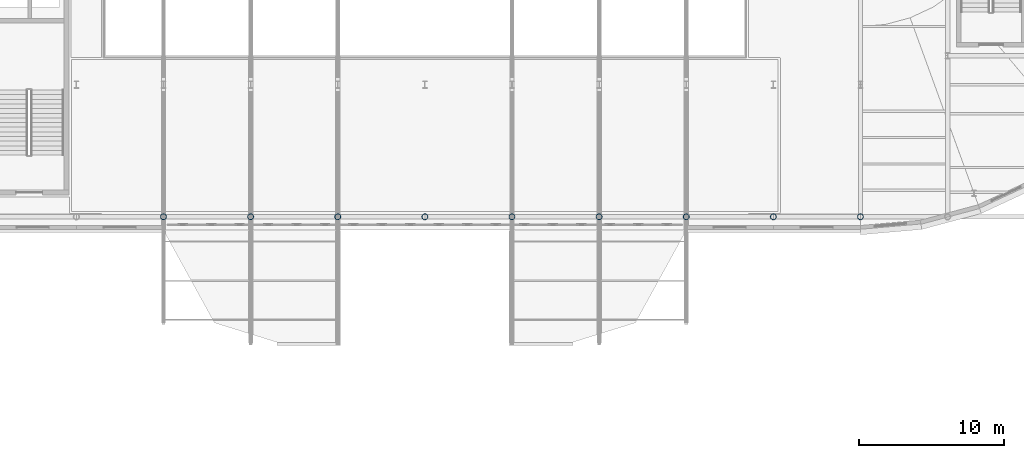
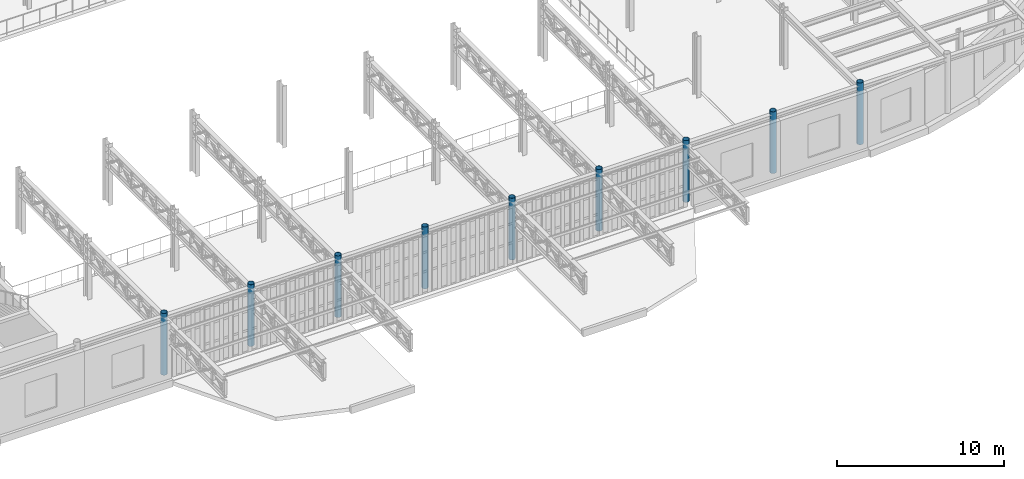
# One storey, part 5 of 91: 9 columns.
"""IFC4 building model written with IfcOpenShell, lengths in metres."""

from ifc_helpers import new_model, si_unit, direction, frame, origin, origin_2d, place, context, subcontext, project, spatial, hollow_circle, extrude, material, material_profile, profile_set, type_object, element, save


model = new_model("IFC4")

# Units and contexts
model_context = context("Model", 3, precision=1e-05, world=origin(), true_north=direction((0.0, 1.0)))
body_context = subcontext(model_context, "Body", "Model", "MODEL_VIEW")
ifc_project = project(units=[si_unit("LENGTHUNIT", "METRE"), si_unit("AREAUNIT", "SQUARE_METRE"), si_unit("VOLUMEUNIT", "CUBIC_METRE"), si_unit("PLANEANGLEUNIT", "RADIAN"), si_unit("MASSUNIT", "GRAM", prefix="KILO")], contexts=[model_context])

# Site, building, storey
site_placement = place(None, origin())
site = spatial("IfcSite", under=ifc_project, at=site_placement, CompositionType="ELEMENT")
building_placement = place(site_placement, origin())
building = spatial("IfcBuilding", under=site, at=building_placement, Name="Kolvaren Corner Interchange", CompositionType="ELEMENT")
storey_placement = place(building_placement, frame((0.0, 0.0, 6.0)))
storey = spatial("IfcBuildingStorey", under=building, at=storey_placement, Name="L02", CompositionType="ELEMENT", Elevation=6.0)

# Columns
ifc_material = material(Name="Steel S355", Category="steel")
ifc_material_profile = material_profile(ifc_material, hollow_circle(Radius=0.203125, WallThickness=0.01611328125, at=origin_2d()), Name="CHS 406.4x16.0")
ifc_profile_set = profile_set([ifc_material_profile], Name="Steel S355")
column_type = type_object("IfcColumnType", Name="COL-CHS406", PredefinedType="COLUMN", material=ifc_profile_set)
for number, where, z_axis, x_axis, name in (
    (1, (72.0, 24.89990234375, 0.0), (0.0, 0.0, 1.0), (1.0, 0.0, 0.0), "Storey L02 Structural Column 0505"),
    (2, (78.0, 24.89990234375, 0.0), (0.0, 0.0, 1.0), (1.0, 0.0, 0.0), "Storey L02 Structural Column 0525"),
    (3, (84.0, 24.89990234375, 0.0), (0.0, 0.0, 1.0), (1.0, 0.0, 0.0), "Storey L02 Structural Column 0545"),
    (4, (90.0, 24.89990234375, 0.0), (0.0, 0.0, 1.0), (1.0, 0.0, 0.0), "Storey L02 Structural Column 0565"),
    (5, (96.0, 24.89990234375, 0.0), (0.0, 0.0, 1.0), (1.0, 0.0, 0.0), "Storey L02 Structural Column 0585"),
    (6, (102.0, 24.89990234375, 0.0), (0.0, 0.0, 1.0), (1.0, 0.0, 0.0), "Storey L02 Structural Column 0605"),
    (7, (108.0, 24.89990234375, 0.0), (0.0, 0.0, 1.0), (1.0, 0.0, 0.0), "Storey L02 Structural Column 0625"),
    (8, (114.0, 24.89990234375, 0.0), (0.0, 0.0, 1.0), (1.0, 0.0, 0.0), "Storey L02 Structural Column 0645"),
    (9, (120.0, 24.89990234375, 0.0), (0.0, 0.0, 1.0), (1.0, 0.0, 0.0), "Storey L02 Structural Column 0665"),
):
    element("IfcColumn", number, at=place(storey_placement, frame(where, z_axis=z_axis, x_axis=x_axis)), inside=storey, type_object=column_type, Name=name, PredefinedType="COLUMN", context=body_context, shape_type="SweptSolid", body=[
        extrude(hollow_circle(Radius=0.203125, WallThickness=0.01611328125, at=origin_2d()), origin(), (0.0, 0.0, 1.0), 4.5),
    ])

save(model, "model.ifc")
